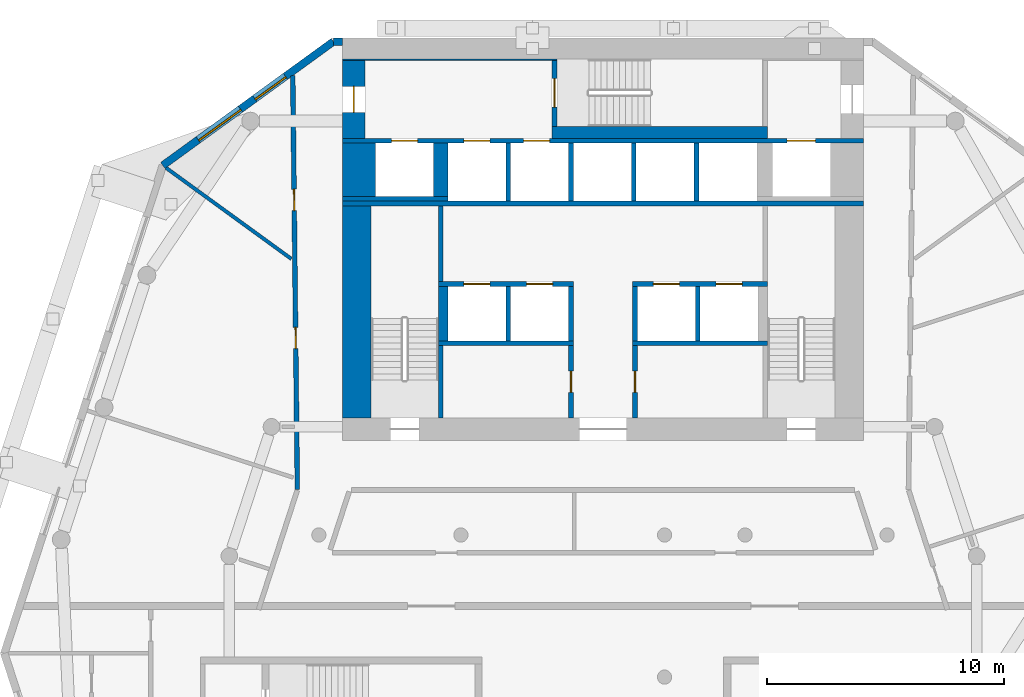
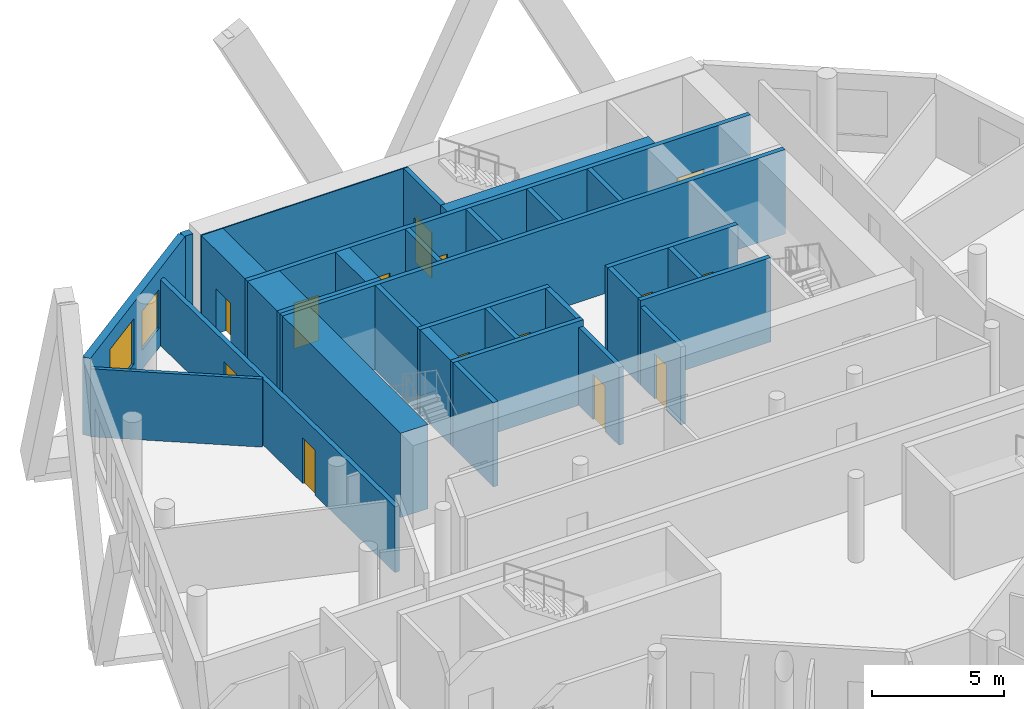
# One storey, part 6 of 9: 31 walls, 14 doors, 2 windows, 16 openings.
"""IFC4 building model written with IfcOpenShell, lengths in metres."""

import ifcopenshell
import ifcopenshell.guid

model = None  # the IFC model being written
_history = None  # IfcOwnerHistory: only IFC2X3 demands one
_inside = {}  # id of a spatial element -> (the spatial element, [elements in it])
_under = {}  # id of a project, library or spatial element -> (it, [spatial elements below it])
_declared = {}  # id of a project -> (the project, [libraries it declares])
_typed = {}  # id of a type object -> (the type object, [elements of that type])
_made_of = {}  # id of a material, layer set ... -> (it, [elements and type objects made of it])


def new_model(schema):
    """Start an empty IFC model of exactly this schema.

    Asked for "IFC4X3", IfcOpenShell would pick the latest addendum, in which some entities
    have other attributes; the version numbers below select the first issue.
    IFC2X3 requires an IfcOwnerHistory on every rooted entity: one is made here for all.
    """
    global model, _history
    if schema == "IFC4X3":
        model = ifcopenshell.file(schema_version=(4, 3, 0, 0))
    else:
        model = ifcopenshell.file(schema=schema)
    _inside.clear()
    _under.clear()
    _declared.clear()
    _typed.clear()
    _made_of.clear()
    _history = None
    if model.schema == "IFC2X3":
        org = make("IfcOrganization", Name="unknown")
        user = make(
            "IfcPersonAndOrganization",
            ThePerson=make("IfcPerson", FamilyName="unknown"),
            TheOrganization=org,
        )
        app = make(
            "IfcApplication",
            ApplicationDeveloper=org,
            Version="unknown",
            ApplicationFullName="unknown",
            ApplicationIdentifier="unknown",
        )
        _history = make(
            "IfcOwnerHistory",
            OwningUser=user,
            OwningApplication=app,
            ChangeAction="ADDED",
            CreationDate=0,
        )
    return model


def make(cls, **values):
    """One entity of the class cls with the attributes given. An attribute that is None is left unset."""
    return model.create_entity(
        cls, **{name: value for name, value in values.items() if value is not None}
    )


def rooted(cls, **values):
    """An entity with a GlobalId (a new one), such as an element, a storey or a relation."""
    return make(cls, GlobalId=ifcopenshell.guid.new(), OwnerHistory=_history, **values)


def si_unit(unit_type, name, prefix=None):
    """IfcSIUnit, for example si_unit("LENGTHUNIT", "METRE", prefix="MILLI")."""
    return make("IfcSIUnit", UnitType=unit_type, Prefix=prefix, Name=name)


def assignment(units):
    """IfcUnitAssignment: the units of a project."""
    return None if units is None else make("IfcUnitAssignment", Units=units)


def point(xyz):
    """IfcCartesianPoint."""
    return None if xyz is None else make("IfcCartesianPoint", Coordinates=xyz)


def direction(xyz):
    """IfcDirection."""
    return None if xyz is None else make("IfcDirection", DirectionRatios=xyz)


def frame(location, z_axis=None, x_axis=None):
    """IfcAxis2Placement3D, a coordinate frame: its origin and axes. An axis left out is left unset."""
    return make(
        "IfcAxis2Placement3D",
        Location=point(location),
        Axis=direction(z_axis),
        RefDirection=direction(x_axis),
    )


def frame_2d(location, x_axis=None):
    """IfcAxis2Placement2D, a coordinate frame in the plane: its origin and x axis."""
    return make(
        "IfcAxis2Placement2D", Location=point(location), RefDirection=direction(x_axis)
    )


def origin():
    """The frame at (0, 0, 0) with its axes left unset."""
    return frame((0.0, 0.0, 0.0))


def place(relative_to, where):
    """IfcLocalPlacement: puts the frame where relative to a parent placement (None: the world)."""
    return make(
        "IfcLocalPlacement", PlacementRelTo=relative_to, RelativePlacement=where
    )


def context(
    kind, dimensions, precision=None, world=None, true_north=None, identifier=None
):
    """IfcGeometricRepresentationContext, for example the 3D "Model" context."""
    return make(
        "IfcGeometricRepresentationContext",
        ContextIdentifier=identifier,
        ContextType=kind,
        CoordinateSpaceDimension=dimensions,
        Precision=precision,
        WorldCoordinateSystem=world,
        TrueNorth=true_north,
    )


def subcontext(parent, identifier, kind, view, scale=None):
    """IfcGeometricRepresentationSubContext, for example "Body" below "Model"."""
    return make(
        "IfcGeometricRepresentationSubContext",
        ContextIdentifier=identifier,
        ContextType=kind,
        ParentContext=parent,
        TargetScale=scale,
        TargetView=view,
    )


def project(units=None, contexts=None):
    """IfcProject with its units and contexts."""
    return rooted(
        "IfcProject",
        Name="project",
        RepresentationContexts=contexts,
        UnitsInContext=assignment(units),
    )


def spatial(cls, under=None, at=None, **own):
    """A site, building, storey or space (cls), placed at a placement, below another one or the project."""
    s = rooted(cls, ObjectPlacement=at, **own)
    if under is not None:
        _under.setdefault(under.id(), (under, []))[1].append(s)
    return s


def profile(cls, at=None, kind="AREA", **sizes):
    """A parametric profile (cls). Its sizes go by their IFC names, for example OverallWidth=200.0."""
    return make(cls, ProfileType=kind, Position=at, **sizes)


def rectangle(**sizes):
    """IfcRectangleProfileDef."""
    return profile("IfcRectangleProfileDef", **sizes)


def extrude(swept, where, along, depth):
    """IfcExtrudedAreaSolid: the profile swept, set in the frame where, extruded along a direction by depth."""
    return make(
        "IfcExtrudedAreaSolid",
        SweptArea=swept,
        Position=where,
        ExtrudedDirection=direction(along),
        Depth=depth,
    )


def shape(context_of_items, identifier, shape_type, items):
    """IfcShapeRepresentation: the items that make up one representation, for example the "Body"."""
    return make(
        "IfcShapeRepresentation",
        ContextOfItems=context_of_items,
        RepresentationIdentifier=identifier,
        RepresentationType=shape_type,
        Items=items,
    )


def material(Name=None, Category=None):
    """IfcMaterial."""
    return make("IfcMaterial", Name=Name, Category=Category)


def layer(
    of_material, thickness, ventilated=None, Name=None, Category=None, Priority=None
):
    """IfcMaterialLayer: one layer of a wall or slab, of a material (None: an air gap)."""
    return make(
        "IfcMaterialLayer",
        Material=of_material,
        LayerThickness=thickness,
        IsVentilated=ventilated,
        Name=Name,
        Category=Category,
        Priority=Priority,
    )


def layer_set(layers, Name=None):
    """IfcMaterialLayerSet."""
    return make("IfcMaterialLayerSet", MaterialLayers=layers, LayerSetName=Name)


def made_of(thing, what):
    """Note that an element or type object is made of a material, layer set ...; save() writes the relation."""
    if what is not None:
        _made_of.setdefault(what.id(), (what, []))[1].append(thing)
    return thing


def type_object(cls, material=None, **own):
    """A type object (cls), such as IfcWallType, which elements share."""
    return made_of(rooted(cls, **own), material)


def element(
    cls,
    number,
    at=None,
    inside=None,
    cuts=None,
    type_object=None,
    material=None,
    context=None,
    identifier="Body",
    shape_type=None,
    held_by="IfcProductDefinitionShape",
    body=None,
    shapes=None,
    **own,
):
    """One element of the class cls, such as IfcWall. Its Tag is "e" and its number.

    at: its placement. inside: the storey or other place that contains it. cuts: it is an
    opening in that element (IfcRelVoidsElement). A single representation is given by context,
    identifier, shape_type and body (its items); several are given by shapes. held_by: the class
    of the entity that holds the representations. save() writes the other relations.
    """
    e = rooted(cls, Tag="e%d" % number, ObjectPlacement=at, **own)
    if body is not None:
        shapes = [shape(context, identifier, shape_type, body)]
    if shapes is not None:
        e.Representation = make(held_by, Representations=shapes)
    if inside is not None:
        _inside.setdefault(inside.id(), (inside, []))[1].append(e)
    if cuts is not None:
        rooted(
            "IfcRelVoidsElement", RelatingBuildingElement=cuts, RelatedOpeningElement=e
        )
    if type_object is not None:
        _typed.setdefault(type_object.id(), (type_object, []))[1].append(e)
    return made_of(e, material)


def fill(opening, filler):
    """IfcRelFillsElement: the door or window that sits in an opening."""
    return rooted(
        "IfcRelFillsElement",
        RelatingOpeningElement=opening,
        RelatedBuildingElement=filler,
    )


def aggregate(whole, parts):
    """IfcRelAggregates: a whole, such as a stair, and the parts it consists of."""
    return rooted("IfcRelAggregates", RelatingObject=whole, RelatedObjects=parts)


def save(model, path):
    """Write the relations noted so far, then the file.

    IfcRelAggregates (storeys below a building ...), IfcRelContainedInSpatialStructure (elements
    in a storey), IfcRelDefinesByType, IfcRelAssociatesMaterial and IfcRelDeclares: one each for
    every whole, place, type object, material and project.
    """
    for whole, parts in _under.values():
        aggregate(whole, parts)
    for where, things in _inside.values():
        rooted(
            "IfcRelContainedInSpatialStructure",
            RelatedElements=things,
            RelatingStructure=where,
        )
    for kind, things in _typed.values():
        rooted("IfcRelDefinesByType", RelatedObjects=things, RelatingType=kind)
    for what, things in _made_of.values():
        rooted("IfcRelAssociatesMaterial", RelatedObjects=things, RelatingMaterial=what)
    for by, libraries in _declared.values():
        rooted("IfcRelDeclares", RelatingContext=by, RelatedDefinitions=libraries)
    model.write(path)


model = new_model("IFC4")

# Units and contexts
model_context = context("Model", 3, precision=1e-05, world=origin(), true_north=direction((0.0, 1.0)))
body_context = subcontext(model_context, "Body", "Model", "MODEL_VIEW")
ifc_project = project(units=[si_unit("LENGTHUNIT", "METRE"), si_unit("AREAUNIT", "SQUARE_METRE"), si_unit("VOLUMEUNIT", "CUBIC_METRE"), si_unit("PLANEANGLEUNIT", "RADIAN"), si_unit("MASSUNIT", "GRAM", prefix="KILO")], contexts=[model_context])

# Site, building, storey
site_placement = place(None, origin())
site = spatial("IfcSite", under=ifc_project, at=site_placement, CompositionType="ELEMENT")
building_placement = place(site_placement, origin())
building = spatial("IfcBuilding", under=site, at=building_placement, Name="White Candle Pilgrim Tower", CompositionType="ELEMENT")
storey_placement = place(building_placement, frame((0.0, 0.0, 148.60009765625)))
storey = spatial("IfcBuildingStorey", under=building, at=storey_placement, Name="L33", CompositionType="ELEMENT", Elevation=148.60009765625)

# Walls
ifc_material_1 = material(Name="Concrete C60/75", Category="concrete")
ifc_layer_1 = layer(ifc_material_1, 1.39990234375)
ifc_layer_set_1 = layer_set([ifc_layer_1], Name="Core wall 1400 mm Concrete C60/75")
wall_type_1 = type_object("IfcWallType", Name="Core wall 1400 mm Concrete C60/75", PredefinedType="SHEAR", material=ifc_layer_set_1)
wall_1_placement = place(storey_placement, frame((59.699951171875, 81.300048828125, 0.0), z_axis=(0.0, 0.0, 1.0), x_axis=(0.0, 1.0, 0.0)))
element("IfcWall", 1, at=wall_1_placement, inside=storey, type_object=wall_type_1, Name="WL-L33-C37", PredefinedType="SHEAR", context=body_context, shape_type="SweptSolid", body=[
    extrude(rectangle(XDim=2.25, YDim=1.39990234375, at=frame_2d((1.125, 0.0))), origin(), (0.0, 0.0, 1.0), 3.89990234375),
])
ifc_layer_2 = layer(ifc_material_1, 0.199951171875)
ifc_layer_set_2 = layer_set([ifc_layer_2], Name="Core wall 200 mm Concrete C60/75")
wall_type_2 = type_object("IfcWallType", Name="Core wall 200 mm Concrete C60/75", PredefinedType="SHEAR", material=ifc_layer_set_2)
wall_2_placement = place(storey_placement, frame((59.0, 81.199951171875, 0.0), z_axis=(0.0, 0.0, 1.0), x_axis=(1.0, 0.0, 0.0)))
element("IfcWall", 2, at=wall_2_placement, inside=storey, type_object=wall_type_2, Name="WL-L33-C31", PredefinedType="SHEAR", context=body_context, shape_type="SweptSolid", body=[
    extrude(rectangle(XDim=4.449951171875, YDim=0.199951171875, at=frame_2d((2.22509765625, 0.0))), origin(), (0.0, 0.0, 1.0), 3.89990234375),
])

# Wall, openings, doors
wall_3_placement = place(storey_placement, frame((59.0, 83.64990234375, 0.0), z_axis=(0.0, 0.0, 1.0), x_axis=(1.0, 0.0, 0.0)))
wall_3 = element("IfcWall", 3, at=wall_3_placement, inside=storey, type_object=wall_type_2, Name="WL-L33-C41", PredefinedType="SHEAR", context=body_context, shape_type="SweptSolid", body=[
    extrude(rectangle(XDim=22.0, YDim=0.199951171875, at=frame_2d((11.0, 0.0))), origin(), (0.0, 0.0, 1.0), 3.89990234375),
])
opening_1_placement = place(wall_3_placement, frame((5.125, 0.0, 0.0)))
opening_1 = element("IfcOpeningElement", 4, at=opening_1_placement, cuts=wall_3, Name="Opening T10-017", PredefinedType="OPENING", context=body_context, shape_type="SweptSolid", body=[
    extrude(rectangle(XDim=1.10009765625, YDim=2.10009765625, at=frame_2d((0.550048828125, 1.050048828125))), frame((0.0, 0.10986328125, 0.0), z_axis=(0.0, -1.0, 0.0), x_axis=(1.0, 0.0, 0.0)), (0.0, 0.0, 1.0), 0.219970703125),
])
opening_2_placement = place(wall_3_placement, frame((7.64990234375, 0.0, 0.0)))
opening_2 = element("IfcOpeningElement", 5, at=opening_2_placement, cuts=wall_3, Name="Opening T10-018", PredefinedType="OPENING", context=body_context, shape_type="SweptSolid", body=[
    extrude(rectangle(XDim=1.10009765625, YDim=2.10009765625, at=frame_2d((0.550048828125, 1.050048828125))), frame((0.0, 0.10986328125, 0.0), z_axis=(0.0, -1.0, 0.0), x_axis=(1.0, 0.0, 0.0)), (0.0, 0.0, 1.0), 0.219970703125),
])
opening_3_placement = place(wall_3_placement, frame((18.77490234375, 0.0, 0.0)))
opening_3 = element("IfcOpeningElement", 6, at=opening_3_placement, cuts=wall_3, Name="Opening T10-019", PredefinedType="OPENING", context=body_context, shape_type="SweptSolid", body=[
    extrude(rectangle(XDim=1.199951171875, YDim=2.10009765625, at=frame_2d((0.60009765625, 1.050048828125))), frame((0.0, 0.10986328125, 0.0), z_axis=(0.0, -1.0, 0.0), x_axis=(1.0, 0.0, 0.0)), (0.0, 0.0, 1.0), 0.219970703125),
])
opening_4_placement = place(wall_3_placement, frame((2.074951171875, 0.0, 0.0)))
opening_4 = element("IfcOpeningElement", 7, at=opening_4_placement, cuts=wall_3, Name="Opening T10-020", PredefinedType="OPENING", context=body_context, shape_type="SweptSolid", body=[
    extrude(rectangle(XDim=1.10009765625, YDim=2.10009765625, at=frame_2d((0.550048828125, 1.050048828125))), frame((0.0, 0.10986328125, 0.0), z_axis=(0.0, -1.0, 0.0), x_axis=(1.0, 0.0, 0.0)), (0.0, 0.0, 1.0), 0.219970703125),
])
ifc_material_2 = material(Name="Stainless steel", Category="steel")
door_type_1 = type_object("IfcDoorType", Name="Lift landing door 1100 x 2100 EI 60", OperationType="DOUBLE_DOOR_SLIDING", PredefinedType="DOOR", material=ifc_material_2)
door_1_placement = place(opening_1_placement, origin())
door_1 = element("IfcDoor", 8, at=door_1_placement, inside=storey, type_object=door_type_1, Name="Door T10-017", OperationType="DOUBLE_DOOR_SLIDING", OverallHeight=2.10009765625, OverallWidth=1.10009765625, PredefinedType="DOOR", context=body_context, shape_type="SweptSolid", body=[
    extrude(rectangle(XDim=1.10009765625, YDim=2.10009765625, at=frame_2d((0.550048828125, 1.050048828125))), frame((0.0, 0.02490234375, 0.0), z_axis=(0.0, -1.0, 0.0), x_axis=(1.0, 0.0, 0.0)), (0.0, 0.0, 1.0), 0.050048828125),
])
fill(opening_1, door_1)
door_2_placement = place(opening_2_placement, origin())
door_2 = element("IfcDoor", 9, at=door_2_placement, inside=storey, type_object=door_type_1, Name="Door T10-018", OperationType="DOUBLE_DOOR_SLIDING", OverallHeight=2.10009765625, OverallWidth=1.10009765625, PredefinedType="DOOR", context=body_context, shape_type="SweptSolid", body=[
    extrude(rectangle(XDim=1.10009765625, YDim=2.10009765625, at=frame_2d((0.550048828125, 1.050048828125))), frame((0.0, 0.02490234375, 0.0), z_axis=(0.0, -1.0, 0.0), x_axis=(1.0, 0.0, 0.0)), (0.0, 0.0, 1.0), 0.050048828125),
])
fill(opening_2, door_2)
door_3_placement = place(opening_4_placement, origin())
door_3 = element("IfcDoor", 10, at=door_3_placement, inside=storey, type_object=door_type_1, Name="Door T10-020", OperationType="DOUBLE_DOOR_SLIDING", OverallHeight=2.10009765625, OverallWidth=1.10009765625, PredefinedType="DOOR", context=body_context, shape_type="SweptSolid", body=[
    extrude(rectangle(XDim=1.10009765625, YDim=2.10009765625, at=frame_2d((0.550048828125, 1.050048828125))), frame((0.0, 0.02490234375, 0.0), z_axis=(0.0, -1.0, 0.0), x_axis=(1.0, 0.0, 0.0)), (0.0, 0.0, 1.0), 0.050048828125),
])
fill(opening_4, door_3)
door_type_2 = type_object("IfcDoorType", Name="Lift landing door 1200 x 2100 E 60", OperationType="DOUBLE_DOOR_SLIDING", PredefinedType="DOOR", material=ifc_material_2)
door_4_placement = place(opening_3_placement, origin())
door_4 = element("IfcDoor", 11, at=door_4_placement, inside=storey, type_object=door_type_2, Name="Door T10-019", OperationType="DOUBLE_DOOR_SLIDING", OverallHeight=2.10009765625, OverallWidth=1.199951171875, PredefinedType="DOOR", context=body_context, shape_type="SweptSolid", body=[
    extrude(rectangle(XDim=1.199951171875, YDim=2.10009765625, at=frame_2d((0.60009765625, 1.050048828125))), frame((0.0, 0.02490234375, 0.0), z_axis=(0.0, -1.0, 0.0), x_axis=(1.0, 0.0, 0.0)), (0.0, 0.0, 1.0), 0.050048828125),
])
fill(opening_3, door_4)

# Wall, opening, door
ifc_layer_3 = layer(ifc_material_1, 0.949951171875)
ifc_layer_set_3 = layer_set([ifc_layer_3], Name="Core wall 950 mm Concrete C60/75")
wall_type_3 = type_object("IfcWallType", Name="Core wall 950 mm Concrete C60/75", PredefinedType="SHEAR", material=ifc_layer_set_3)
wall_4_placement = place(storey_placement, frame((59.47509765625, 83.75, 0.0), z_axis=(0.0, 0.0, 1.0), x_axis=(0.0, 1.0, 0.0)))
wall_4 = element("IfcWall", 12, at=wall_4_placement, inside=storey, type_object=wall_type_3, Name="WL-L33-C42", PredefinedType="SHEAR", context=body_context, shape_type="SweptSolid", body=[
    extrude(rectangle(XDim=3.300048828125, YDim=0.949951171875, at=frame_2d((1.64990234375, 0.0))), origin(), (0.0, 0.0, 1.0), 3.89990234375),
])
opening_5_placement = place(wall_4_placement, frame((1.10009765625, 0.0, 0.0)))
opening_5 = element("IfcOpeningElement", 13, at=opening_5_placement, cuts=wall_4, Name="Opening T10-007", PredefinedType="OPENING", context=body_context, shape_type="SweptSolid", body=[
    extrude(rectangle(XDim=1.10009765625, YDim=2.10009765625, at=frame_2d((0.550048828125, 1.050048828125))), frame((0.0, 0.48486328125, 0.0), z_axis=(0.0, -1.0, 0.0), x_axis=(1.0, 0.0, 0.0)), (0.0, 0.0, 1.0), 0.969970703125),
])
ifc_material_3 = material(Name="Steel door leaf", Category="steel")
door_type_3 = type_object("IfcDoorType", Name="Fire door 1100 x 2100 EI 60", OperationType="NOTDEFINED", PredefinedType="DOOR", material=ifc_material_3)
door_5_placement = place(opening_5_placement, origin())
door_5 = element("IfcDoor", 14, at=door_5_placement, inside=storey, type_object=door_type_3, Name="Door T10-007", OperationType="SINGLE_SWING_LEFT", OverallHeight=2.10009765625, OverallWidth=1.10009765625, PredefinedType="DOOR", context=body_context, shape_type="SweptSolid", body=[
    extrude(rectangle(XDim=1.10009765625, YDim=2.10009765625, at=frame_2d((0.550048828125, 1.050048828125))), frame((0.0, 0.02490234375, 0.0), z_axis=(0.0, -1.0, 0.0), x_axis=(1.0, 0.0, 0.0)), (0.0, 0.0, 1.0), 0.050048828125),
])
fill(opening_5, door_5)

# Wall, openings, doors
ifc_material_4 = material(Name="Gypsum board on steel studs", Category="steel")
ifc_layer_4 = layer(ifc_material_4, 0.199951171875)
ifc_layer_set_4 = layer_set([ifc_layer_4], Name="Corridor wall 200 mm EI 45")
wall_type_4 = type_object("IfcWallType", Name="Corridor wall 200 mm EI 45", PredefinedType="PARTITIONING", material=ifc_layer_set_4)
wall_5_placement = place(storey_placement, frame((57.09326171875, 68.91650390625, 0.0), z_axis=(0.0, 0.0, 1.0), x_axis=(-0.011061239263, 0.999938822622, 0.0)))
wall_5 = element("IfcWall", 15, at=wall_5_placement, inside=storey, type_object=wall_type_4, Name="WL-L33-P003", PredefinedType="PARTITIONING", context=body_context, shape_type="SweptSolid", body=[
    extrude(rectangle(XDim=17.480712890625, YDim=0.199951171875, at=frame_2d((8.740234375, 0.0))), origin(), (0.0, 0.0, 1.0), 3.0498046875),
])
opening_6_placement = place(wall_5_placement, frame((5.951416015625, 0.0, 0.0)))
opening_6 = element("IfcOpeningElement", 16, at=opening_6_placement, cuts=wall_5, Name="Opening T10-118", PredefinedType="OPENING", context=body_context, shape_type="SweptSolid", body=[
    extrude(rectangle(XDim=0.89990234375, YDim=2.10009765625, at=frame_2d((0.449951171875, 1.050048828125))), frame((0.0, 0.10986328125, 0.0), z_axis=(0.0, -1.0, 0.0), x_axis=(1.0, 0.0, 0.0)), (0.0, 0.0, 1.0), 0.219970703125),
])
opening_7_placement = place(wall_5_placement, frame((11.78662109375, 0.0, 0.0)))
opening_7 = element("IfcOpeningElement", 17, at=opening_7_placement, cuts=wall_5, Name="Opening T10-119", PredefinedType="OPENING", context=body_context, shape_type="SweptSolid", body=[
    extrude(rectangle(XDim=0.89990234375, YDim=2.10009765625, at=frame_2d((0.449951171875, 1.050048828125))), frame((0.0, 0.10986328125, 0.0), z_axis=(0.0, -1.0, 0.0), x_axis=(1.0, 0.0, 0.0)), (0.0, 0.0, 1.0), 0.219970703125),
])
door_type_4 = type_object("IfcDoorType", Name="Fire door 900 x 2100 EI 30", OperationType="NOTDEFINED", PredefinedType="DOOR", material=ifc_material_3)
door_6_placement = place(opening_6_placement, origin())
door_6 = element("IfcDoor", 18, at=door_6_placement, inside=storey, type_object=door_type_4, Name="Door T10-118", OperationType="SINGLE_SWING_RIGHT", OverallHeight=2.10009765625, OverallWidth=0.89990234375, PredefinedType="DOOR", context=body_context, shape_type="SweptSolid", body=[
    extrude(rectangle(XDim=0.89990234375, YDim=2.10009765625, at=frame_2d((0.449951171875, 1.050048828125))), frame((0.0, 0.02490234375, 0.0), z_axis=(0.0, -1.0, 0.0), x_axis=(1.0, 0.0, 0.0)), (0.0, 0.0, 1.0), 0.050048828125),
])
fill(opening_6, door_6)
door_7_placement = place(opening_7_placement, origin())
door_7 = element("IfcDoor", 19, at=door_7_placement, inside=storey, type_object=door_type_4, Name="Door T10-119", OperationType="SINGLE_SWING_LEFT", OverallHeight=2.10009765625, OverallWidth=0.89990234375, PredefinedType="DOOR", context=body_context, shape_type="SweptSolid", body=[
    extrude(rectangle(XDim=0.89990234375, YDim=2.10009765625, at=frame_2d((0.449951171875, 1.050048828125))), frame((0.0, 0.02490234375, 0.0), z_axis=(0.0, -1.0, 0.0), x_axis=(1.0, 0.0, 0.0)), (0.0, 0.0, 1.0), 0.050048828125),
])
fill(opening_7, door_7)

# Wall
ifc_material_5 = material(Name="Precast concrete C40/50", Category="concrete")
ifc_layer_5 = layer(ifc_material_5, 0.320068359375)
ifc_layer_set_5 = layer_set([ifc_layer_5], Name="Facade wall EW1 precast concrete C40/50 pier wall with timber-lined reveals")
wall_type_5 = type_object("IfcWallType", Name="Facade wall EW1 precast concrete C40/50 pier wall with timber-lined reveals", PredefinedType="SOLIDWALL", material=ifc_layer_set_5)
wall_6_placement = place(storey_placement, frame((59.0, 87.840087890625, 0.0), z_axis=(0.0, 0.0, 1.0), x_axis=(-1.0, 0.0, 0.0)))
element("IfcWall", 20, at=wall_6_placement, inside=storey, type_object=wall_type_5, Name="Facade wall L33 N", PredefinedType="SOLIDWALL", context=body_context, shape_type="SweptSolid", body=[
    extrude(rectangle(XDim=0.385009765625, YDim=0.320068359375, at=frame_2d((0.1923828125, 0.0))), origin(), (0.0, 0.0, 1.0), 3.599853515625),
])

# Wall, openings, windows
wall_7_placement = place(storey_placement, frame((58.614990234375, 87.840087890625, 0.0), z_axis=(0.0, 0.0, 1.0), x_axis=(-0.809011042426, -0.58779344436, 0.0)))
wall_7 = element("IfcWall", 21, at=wall_7_placement, inside=storey, type_object=wall_type_5, Name="Facade wall L33 NW chamfer", PredefinedType="SOLIDWALL", context=body_context, shape_type="SweptSolid", body=[
    extrude(rectangle(XDim=8.905029296875, YDim=0.320068359375, at=frame_2d((4.45263671875, 0.0))), origin(), (0.0, 0.0, 1.0), 3.599853515625),
])
opening_8_placement = place(wall_7_placement, frame((2.50244140625, 0.0, 0.89990234375)))
opening_8 = element("IfcOpeningElement", 22, at=opening_8_placement, cuts=wall_7, Name="Opening W2", PredefinedType="OPENING", context=body_context, shape_type="SweptSolid", body=[
    extrude(rectangle(XDim=1.60009765625, YDim=1.800048828125, at=frame_2d((0.800048828125, 0.89990234375))), frame((0.0, 0.169921875, 0.0), z_axis=(0.0, -1.0, 0.0), x_axis=(1.0, 0.0, 0.0)), (0.0, 0.0, 1.0), 0.340087890625),
])
opening_9_placement = place(wall_7_placement, frame((4.8525390625, 0.0, 0.75)))
opening_9 = element("IfcOpeningElement", 23, at=opening_9_placement, cuts=wall_7, Name="Opening W4", PredefinedType="OPENING", context=body_context, shape_type="SweptSolid", body=[
    extrude(rectangle(XDim=2.199951171875, YDim=2.10009765625, at=frame_2d((1.10009765625, 1.050048828125))), frame((0.0, 0.169921875, 0.0), z_axis=(0.0, -1.0, 0.0), x_axis=(1.0, 0.0, 0.0)), (0.0, 0.0, 1.0), 0.340087890625),
])
ifc_material_6 = material(Name="Timber frame with triple glazing", Category="wood")
window_type_1 = type_object("IfcWindowType", Name="Window W2 1600x1800 timber frame triple glazing", PartitioningType="SINGLE_PANEL", PredefinedType="WINDOW", material=ifc_material_6)
window_1_placement = place(opening_8_placement, origin())
window_1 = element("IfcWindow", 24, at=window_1_placement, inside=storey, type_object=window_type_1, Name="Window W2 L33 NW chamfer 1", OverallHeight=1.800048828125, OverallWidth=1.60009765625, PartitioningType="SINGLE_PANEL", PredefinedType="WINDOW", context=body_context, shape_type="SweptSolid", body=[
    extrude(rectangle(XDim=1.60009765625, YDim=1.800048828125, at=frame_2d((0.800048828125, 0.89990234375))), frame((0.0, 0.070068359375, 0.0), z_axis=(0.0, -1.0, 0.0), x_axis=(1.0, 0.0, 0.0)), (0.0, 0.0, 1.0), 0.06005859375),
])
fill(opening_8, window_1)
window_type_2 = type_object("IfcWindowType", Name="Window W4 2200x2100 timber frame triple glazing", PartitioningType="SINGLE_PANEL", PredefinedType="WINDOW", material=ifc_material_6)
window_2_placement = place(opening_9_placement, origin())
window_2 = element("IfcWindow", 25, at=window_2_placement, inside=storey, type_object=window_type_2, Name="Window W4 L33 NW chamfer 2", OverallHeight=2.10009765625, OverallWidth=2.199951171875, PartitioningType="SINGLE_PANEL", PredefinedType="WINDOW", context=body_context, shape_type="SweptSolid", body=[
    extrude(rectangle(XDim=2.199951171875, YDim=2.10009765625, at=frame_2d((1.10009765625, 1.050048828125))), frame((0.0, 0.070068359375, 0.0), z_axis=(0.0, -1.0, 0.0), x_axis=(1.0, 0.0, 0.0)), (0.0, 0.0, 1.0), 0.06005859375),
])
fill(opening_9, window_2)

# Wall, opening, door
ifc_layer_6 = layer(ifc_material_4, 0.199951171875)
ifc_layer_set_6 = layer_set([ifc_layer_6], Name="Lobby wall 200 mm EI 60")
wall_type_6 = type_object("IfcWallType", Name="Lobby wall 200 mm EI 60", PredefinedType="PARTITIONING", material=ifc_layer_set_6)
wall_8_placement = place(storey_placement, frame((68.64990234375, 71.949951171875, 0.0), z_axis=(0.0, 0.0, 1.0), x_axis=(0.0, 1.0, 0.0)))
wall_8 = element("IfcWall", 26, at=wall_8_placement, inside=storey, type_object=wall_type_6, Name="WL-L33-C14", PredefinedType="PARTITIONING", context=body_context, shape_type="SweptSolid", body=[
    extrude(rectangle(XDim=3.050048828125, YDim=0.199951171875, at=frame_2d((1.52490234375, 0.0))), origin(), (0.0, 0.0, 1.0), 3.599853515625),
])
opening_10_placement = place(wall_8_placement, frame((1.074951171875, 0.0, 0.0)))
opening_10 = element("IfcOpeningElement", 27, at=opening_10_placement, cuts=wall_8, Name="Opening T10-005", PredefinedType="OPENING", context=body_context, shape_type="SweptSolid", body=[
    extrude(rectangle(XDim=0.89990234375, YDim=2.10009765625, at=frame_2d((0.449951171875, 1.050048828125))), frame((0.0, 0.10986328125, 0.0), z_axis=(0.0, -1.0, 0.0), x_axis=(1.0, 0.0, 0.0)), (0.0, 0.0, 1.0), 0.219970703125),
])
door_8_placement = place(opening_10_placement, origin())
door_8 = element("IfcDoor", 28, at=door_8_placement, inside=storey, type_object=door_type_4, Name="Door T10-005", OperationType="SINGLE_SWING_LEFT", OverallHeight=2.10009765625, OverallWidth=0.89990234375, PredefinedType="DOOR", context=body_context, shape_type="SweptSolid", body=[
    extrude(rectangle(XDim=0.89990234375, YDim=2.10009765625, at=frame_2d((0.449951171875, 1.050048828125))), frame((0.0, 0.02490234375, 0.0), z_axis=(0.0, -1.0, 0.0), x_axis=(1.0, 0.0, 0.0)), (0.0, 0.0, 1.0), 0.050048828125),
])
fill(opening_10, door_8)

wall_9_placement = place(storey_placement, frame((71.35009765625, 71.949951171875, 0.0), z_axis=(0.0, 0.0, 1.0), x_axis=(0.0, 1.0, 0.0)))
wall_9 = element("IfcWall", 29, at=wall_9_placement, inside=storey, type_object=wall_type_6, Name="WL-L33-C15", PredefinedType="PARTITIONING", context=body_context, shape_type="SweptSolid", body=[
    extrude(rectangle(XDim=3.050048828125, YDim=0.199951171875, at=frame_2d((1.52490234375, 0.0))), origin(), (0.0, 0.0, 1.0), 3.599853515625),
])
opening_11_placement = place(wall_9_placement, frame((1.074951171875, 0.0, 0.0)))
opening_11 = element("IfcOpeningElement", 30, at=opening_11_placement, cuts=wall_9, Name="Opening T10-006", PredefinedType="OPENING", context=body_context, shape_type="SweptSolid", body=[
    extrude(rectangle(XDim=0.89990234375, YDim=2.10009765625, at=frame_2d((0.449951171875, 1.050048828125))), frame((0.0, 0.10986328125, 0.0), z_axis=(0.0, -1.0, 0.0), x_axis=(1.0, 0.0, 0.0)), (0.0, 0.0, 1.0), 0.219970703125),
])
door_9_placement = place(opening_11_placement, origin())
door_9 = element("IfcDoor", 31, at=door_9_placement, inside=storey, type_object=door_type_4, Name="Door T10-006", OperationType="SINGLE_SWING_RIGHT", OverallHeight=2.10009765625, OverallWidth=0.89990234375, PredefinedType="DOOR", context=body_context, shape_type="SweptSolid", body=[
    extrude(rectangle(XDim=0.89990234375, YDim=2.10009765625, at=frame_2d((0.449951171875, 1.050048828125))), frame((0.0, 0.02490234375, 0.0), z_axis=(0.0, -1.0, 0.0), x_axis=(1.0, 0.0, 0.0)), (0.0, 0.0, 1.0), 0.050048828125),
])
fill(opening_11, door_9)

# Walls
ifc_layer_7 = layer(ifc_material_4, 0.14990234375)
ifc_layer_set_7 = layer_set([ifc_layer_7], Name="Partition 150 mm EI 60")
wall_type_7 = type_object("IfcWallType", Name="Partition 150 mm EI 60", PredefinedType="PARTITIONING", material=ifc_layer_set_7)
wall_10_placement = place(storey_placement, frame((51.546875, 82.5068359375, 0.0), z_axis=(0.0, 0.0, 1.0), x_axis=(0.809023171625, -0.587776749944, 0.0)))
element("IfcWall", 32, at=wall_10_placement, inside=storey, type_object=wall_type_7, Name="WL-L33-P017", PredefinedType="PARTITIONING", context=body_context, shape_type="SweptSolid", body=[
    extrude(rectangle(XDim=6.543701171875, YDim=0.14990234375, at=frame_2d((3.27197265625, 0.0))), origin(), (0.0, 0.0, 1.0), 3.14990234375),
])
ifc_layer_8 = layer(ifc_material_1, 0.199951171875)
ifc_layer_set_8 = layer_set([ifc_layer_8], Name="Shaft wall 200 mm Concrete C60/75")
wall_type_8 = type_object("IfcWallType", Name="Shaft wall 200 mm Concrete C60/75", PredefinedType="SHEAR", material=ifc_layer_set_8)
for number, where, z_axis, x_axis, name in (
    (33, (66.0, 75.199951171875, 0.0), (0.0, 0.0, 1.0), (0.0, 1.0, 0.0), "WL-L33-C21"),
    (34, (68.64990234375, 75.199951171875, 0.0), (0.0, 0.0, 1.0), (0.0, 1.0, 0.0), "WL-L33-C22"),
    (35, (71.35009765625, 75.199951171875, 0.0), (0.0, 0.0, 1.0), (0.0, 1.0, 0.0), "WL-L33-C23"),
    (36, (74.0, 75.199951171875, 0.0), (0.0, 0.0, 1.0), (0.0, 1.0, 0.0), "WL-L33-C24"),
):
    element("IfcWall", number, at=place(storey_placement, frame(where, z_axis=z_axis, x_axis=x_axis)), inside=storey, type_object=wall_type_8, Name=name, PredefinedType="SHEAR", context=body_context, shape_type="SweptSolid", body=[
        extrude(rectangle(XDim=2.300048828125, YDim=0.199951171875, at=frame_2d((1.14990234375, 0.0))), origin(), (0.0, 0.0, 1.0), 3.89990234375),
    ])
for number, where, z_axis, x_axis, name in (
    (37, (66.0, 81.10009765625, 0.0), (0.0, 0.0, 1.0), (0.0, 1.0, 0.0), "WL-L33-C32"),
    (38, (68.64990234375, 81.10009765625, 0.0), (0.0, 0.0, 1.0), (0.0, 1.0, 0.0), "WL-L33-C33"),
    (39, (71.300048828125, 81.10009765625, 0.0), (0.0, 0.0, 1.0), (0.0, 1.0, 0.0), "WL-L33-C34"),
    (40, (73.949951171875, 81.10009765625, 0.0), (0.0, 0.0, 1.0), (0.0, 1.0, 0.0), "WL-L33-C35"),
):
    element("IfcWall", number, at=place(storey_placement, frame(where, z_axis=z_axis, x_axis=x_axis)), inside=storey, type_object=wall_type_8, Name=name, PredefinedType="SHEAR", context=body_context, shape_type="SweptSolid", body=[
        extrude(rectangle(XDim=2.449951171875, YDim=0.199951171875, at=frame_2d((1.22509765625, 0.0))), origin(), (0.0, 0.0, 1.0), 3.89990234375),
    ])
ifc_layer_9 = layer(ifc_material_1, 0.60009765625)
ifc_layer_set_9 = layer_set([ifc_layer_9], Name="Shaft wall 600 mm Concrete C60/75")
wall_type_9 = type_object("IfcWallType", Name="Shaft wall 600 mm Concrete C60/75", PredefinedType="SHEAR", material=ifc_layer_set_9)
wall_11_placement = place(storey_placement, frame((63.14990234375, 81.300048828125, 0.0), z_axis=(0.0, 0.0, 1.0), x_axis=(0.0, 1.0, 0.0)))
element("IfcWall", 41, at=wall_11_placement, inside=storey, type_object=wall_type_9, Name="WL-L33-C38", PredefinedType="SHEAR", context=body_context, shape_type="SweptSolid", body=[
    extrude(rectangle(XDim=2.25, YDim=0.60009765625, at=frame_2d((1.125, 0.0))), origin(), (0.0, 0.0, 1.0), 3.89990234375),
])
ifc_layer_10 = layer(ifc_material_1, 1.199951171875)
ifc_layer_set_10 = layer_set([ifc_layer_10], Name="Stair shaft wall 1200 mm Concrete C60/75")
wall_type_10 = type_object("IfcWallType", Name="Stair shaft wall 1200 mm Concrete C60/75", PredefinedType="SHEAR", material=ifc_layer_set_10)
wall_12_placement = place(storey_placement, frame((59.60009765625, 71.949951171875, 0.0), z_axis=(0.0, 0.0, 1.0), x_axis=(0.0, 1.0, 0.0)))
element("IfcWall", 42, at=wall_12_placement, inside=storey, type_object=wall_type_10, Name="WL-L33-C12", PredefinedType="SHEAR", context=body_context, shape_type="SweptSolid", body=[
    extrude(rectangle(XDim=8.949951171875, YDim=1.199951171875, at=frame_2d((4.47509765625, 0.0))), origin(), (0.0, 0.0, 1.0), 3.89990234375),
])
ifc_layer_11 = layer(ifc_material_1, 0.199951171875)
ifc_layer_set_11 = layer_set([ifc_layer_11], Name="Stair shaft wall 200 mm Concrete C60/75")
wall_type_11 = type_object("IfcWallType", Name="Stair shaft wall 200 mm Concrete C60/75", PredefinedType="SHEAR", material=ifc_layer_set_11)
wall_13_placement = place(storey_placement, frame((63.14990234375, 71.949951171875, 0.0), z_axis=(0.0, 0.0, 1.0), x_axis=(0.0, 1.0, 0.0)))
element("IfcWall", 43, at=wall_13_placement, inside=storey, type_object=wall_type_11, Name="WL-L33-C13", PredefinedType="SHEAR", context=body_context, shape_type="SweptSolid", body=[
    extrude(rectangle(XDim=3.050048828125, YDim=0.199951171875, at=frame_2d((1.52490234375, 0.0))), origin(), (0.0, 0.0, 1.0), 3.89990234375),
])
for number, where, z_axis, x_axis, name in (
    (44, (63.050048828125, 75.10009765625, 0.0), (0.0, 0.0, 1.0), (1.0, 0.0, 0.0), "WL-L33-C18"),
    (45, (71.25, 75.10009765625, 0.0), (0.0, 0.0, 1.0), (1.0, 0.0, 0.0), "WL-L33-C19"),
):
    element("IfcWall", number, at=place(storey_placement, frame(where, z_axis=z_axis, x_axis=x_axis)), inside=storey, type_object=wall_type_11, Name=name, PredefinedType="SHEAR", context=body_context, shape_type="SweptSolid", body=[
        extrude(rectangle(XDim=5.699951171875, YDim=0.199951171875, at=frame_2d((2.85009765625, 0.0))), origin(), (0.0, 0.0, 1.0), 3.89990234375),
    ])

# Wall, openings, doors
wall_14_placement = place(storey_placement, frame((63.050048828125, 77.60009765625, 0.0), z_axis=(0.0, 0.0, 1.0), x_axis=(1.0, 0.0, 0.0)))
wall_14 = element("IfcWall", 46, at=wall_14_placement, inside=storey, type_object=wall_type_11, Name="WL-L33-C26", PredefinedType="SHEAR", context=body_context, shape_type="SweptSolid", body=[
    extrude(rectangle(XDim=5.699951171875, YDim=0.199951171875, at=frame_2d((2.85009765625, 0.0))), origin(), (0.0, 0.0, 1.0), 3.89990234375),
])
opening_12_placement = place(wall_14_placement, frame((1.074951171875, 0.0, 0.0)))
opening_12 = element("IfcOpeningElement", 47, at=opening_12_placement, cuts=wall_14, Name="Opening T10-013", PredefinedType="OPENING", context=body_context, shape_type="SweptSolid", body=[
    extrude(rectangle(XDim=1.10009765625, YDim=2.10009765625, at=frame_2d((0.550048828125, 1.050048828125))), frame((0.0, 0.10986328125, 0.0), z_axis=(0.0, -1.0, 0.0), x_axis=(1.0, 0.0, 0.0)), (0.0, 0.0, 1.0), 0.219970703125),
])
opening_13_placement = place(wall_14_placement, frame((3.72509765625, 0.0, 0.0)))
opening_13 = element("IfcOpeningElement", 48, at=opening_13_placement, cuts=wall_14, Name="Opening T10-014", PredefinedType="OPENING", context=body_context, shape_type="SweptSolid", body=[
    extrude(rectangle(XDim=1.10009765625, YDim=2.10009765625, at=frame_2d((0.550048828125, 1.050048828125))), frame((0.0, 0.10986328125, 0.0), z_axis=(0.0, -1.0, 0.0), x_axis=(1.0, 0.0, 0.0)), (0.0, 0.0, 1.0), 0.219970703125),
])
door_type_5 = type_object("IfcDoorType", Name="Lift landing door 1100 x 2100 E 60", OperationType="DOUBLE_DOOR_SLIDING", PredefinedType="DOOR", material=ifc_material_2)
door_10_placement = place(opening_12_placement, origin())
door_10 = element("IfcDoor", 49, at=door_10_placement, inside=storey, type_object=door_type_5, Name="Door T10-013", OperationType="DOUBLE_DOOR_SLIDING", OverallHeight=2.10009765625, OverallWidth=1.10009765625, PredefinedType="DOOR", context=body_context, shape_type="SweptSolid", body=[
    extrude(rectangle(XDim=1.10009765625, YDim=2.10009765625, at=frame_2d((0.550048828125, 1.050048828125))), frame((0.0, 0.02490234375, 0.0), z_axis=(0.0, -1.0, 0.0), x_axis=(1.0, 0.0, 0.0)), (0.0, 0.0, 1.0), 0.050048828125),
])
fill(opening_12, door_10)
door_11_placement = place(opening_13_placement, origin())
door_11 = element("IfcDoor", 50, at=door_11_placement, inside=storey, type_object=door_type_5, Name="Door T10-014", OperationType="DOUBLE_DOOR_SLIDING", OverallHeight=2.10009765625, OverallWidth=1.10009765625, PredefinedType="DOOR", context=body_context, shape_type="SweptSolid", body=[
    extrude(rectangle(XDim=1.10009765625, YDim=2.10009765625, at=frame_2d((0.550048828125, 1.050048828125))), frame((0.0, 0.02490234375, 0.0), z_axis=(0.0, -1.0, 0.0), x_axis=(1.0, 0.0, 0.0)), (0.0, 0.0, 1.0), 0.050048828125),
])
fill(opening_13, door_11)

wall_15_placement = place(storey_placement, frame((71.25, 77.60009765625, 0.0), z_axis=(0.0, 0.0, 1.0), x_axis=(1.0, 0.0, 0.0)))
wall_15 = element("IfcWall", 51, at=wall_15_placement, inside=storey, type_object=wall_type_11, Name="WL-L33-C27", PredefinedType="SHEAR", context=body_context, shape_type="SweptSolid", body=[
    extrude(rectangle(XDim=5.699951171875, YDim=0.199951171875, at=frame_2d((2.85009765625, 0.0))), origin(), (0.0, 0.0, 1.0), 3.89990234375),
])
opening_14_placement = place(wall_15_placement, frame((0.875, 0.0, 0.0)))
opening_14 = element("IfcOpeningElement", 52, at=opening_14_placement, cuts=wall_15, Name="Opening T10-015", PredefinedType="OPENING", context=body_context, shape_type="SweptSolid", body=[
    extrude(rectangle(XDim=1.10009765625, YDim=2.10009765625, at=frame_2d((0.550048828125, 1.050048828125))), frame((0.0, 0.10986328125, 0.0), z_axis=(0.0, -1.0, 0.0), x_axis=(1.0, 0.0, 0.0)), (0.0, 0.0, 1.0), 0.219970703125),
])
opening_15_placement = place(wall_15_placement, frame((3.52490234375, 0.0, 0.0)))
opening_15 = element("IfcOpeningElement", 53, at=opening_15_placement, cuts=wall_15, Name="Opening T10-016", PredefinedType="OPENING", context=body_context, shape_type="SweptSolid", body=[
    extrude(rectangle(XDim=1.10009765625, YDim=2.10009765625, at=frame_2d((0.550048828125, 1.050048828125))), frame((0.0, 0.10986328125, 0.0), z_axis=(0.0, -1.0, 0.0), x_axis=(1.0, 0.0, 0.0)), (0.0, 0.0, 1.0), 0.219970703125),
])
door_12_placement = place(opening_14_placement, origin())
door_12 = element("IfcDoor", 54, at=door_12_placement, inside=storey, type_object=door_type_5, Name="Door T10-015", OperationType="DOUBLE_DOOR_SLIDING", OverallHeight=2.10009765625, OverallWidth=1.10009765625, PredefinedType="DOOR", context=body_context, shape_type="SweptSolid", body=[
    extrude(rectangle(XDim=1.10009765625, YDim=2.10009765625, at=frame_2d((0.550048828125, 1.050048828125))), frame((0.0, 0.02490234375, 0.0), z_axis=(0.0, -1.0, 0.0), x_axis=(1.0, 0.0, 0.0)), (0.0, 0.0, 1.0), 0.050048828125),
])
fill(opening_14, door_12)
door_13_placement = place(opening_15_placement, origin())
door_13 = element("IfcDoor", 55, at=door_13_placement, inside=storey, type_object=door_type_5, Name="Door T10-016", OperationType="DOUBLE_DOOR_SLIDING", OverallHeight=2.10009765625, OverallWidth=1.10009765625, PredefinedType="DOOR", context=body_context, shape_type="SweptSolid", body=[
    extrude(rectangle(XDim=1.10009765625, YDim=2.10009765625, at=frame_2d((0.550048828125, 1.050048828125))), frame((0.0, 0.02490234375, 0.0), z_axis=(0.0, -1.0, 0.0), x_axis=(1.0, 0.0, 0.0)), (0.0, 0.0, 1.0), 0.050048828125),
])
fill(opening_15, door_13)

# Walls
wall_16_placement = place(storey_placement, frame((63.14990234375, 77.699951171875, 0.0), z_axis=(0.0, 0.0, 1.0), x_axis=(0.0, 1.0, 0.0)))
element("IfcWall", 56, at=wall_16_placement, inside=storey, type_object=wall_type_11, Name="WL-L33-C28", PredefinedType="SHEAR", context=body_context, shape_type="SweptSolid", body=[
    extrude(rectangle(XDim=3.199951171875, YDim=0.199951171875, at=frame_2d((1.60009765625, 0.0))), origin(), (0.0, 0.0, 1.0), 3.89990234375),
])
wall_17_placement = place(storey_placement, frame((59.0, 81.0, 0.0), z_axis=(0.0, 0.0, 1.0), x_axis=(1.0, 0.0, 0.0)))
element("IfcWall", 57, at=wall_17_placement, inside=storey, type_object=wall_type_11, Name="WL-L33-C30", PredefinedType="SHEAR", context=body_context, shape_type="SweptSolid", body=[
    extrude(rectangle(XDim=22.0, YDim=0.199951171875, at=frame_2d((11.0, 0.0))), origin(), (0.0, 0.0, 1.0), 3.89990234375),
])

# Wall, opening, door
wall_18_placement = place(storey_placement, frame((67.949951171875, 84.25, 0.0), z_axis=(0.0, 0.0, 1.0), x_axis=(0.0, 1.0, 0.0)))
wall_18 = element("IfcWall", 58, at=wall_18_placement, inside=storey, type_object=wall_type_11, Name="WL-L33-C45", PredefinedType="SHEAR", context=body_context, shape_type="SweptSolid", body=[
    extrude(rectangle(XDim=2.800048828125, YDim=0.199951171875, at=frame_2d((1.39990234375, 0.0))), origin(), (0.0, 0.0, 1.0), 3.89990234375),
])
opening_16_placement = place(wall_18_placement, frame((0.824951171875, 0.0, 0.0)))
opening_16 = element("IfcOpeningElement", 59, at=opening_16_placement, cuts=wall_18, Name="Opening T10-003", PredefinedType="OPENING", context=body_context, shape_type="SweptSolid", body=[
    extrude(rectangle(XDim=1.199951171875, YDim=2.10009765625, at=frame_2d((0.60009765625, 1.050048828125))), frame((0.0, 0.10986328125, 0.0), z_axis=(0.0, -1.0, 0.0), x_axis=(1.0, 0.0, 0.0)), (0.0, 0.0, 1.0), 0.219970703125),
])
door_type_6 = type_object("IfcDoorType", Name="Fire door 1200 x 2100 EI 60", OperationType="NOTDEFINED", PredefinedType="DOOR", material=ifc_material_3)
door_14_placement = place(opening_16_placement, frame((1.199951171875, 0.0, 0.0), z_axis=(0.0, 0.0, 1.0), x_axis=(-1.0, 0.0, 0.0)))
door_14 = element("IfcDoor", 60, at=door_14_placement, inside=storey, type_object=door_type_6, Name="Door T10-003", OperationType="SINGLE_SWING_RIGHT", OverallHeight=2.10009765625, OverallWidth=1.199951171875, PredefinedType="DOOR", context=body_context, shape_type="SweptSolid", body=[
    extrude(rectangle(XDim=1.199951171875, YDim=2.10009765625, at=frame_2d((0.60009765625, 1.050048828125))), frame((0.0, 0.02490234375, 0.0), z_axis=(0.0, -1.0, 0.0), x_axis=(1.0, 0.0, 0.0)), (0.0, 0.0, 1.0), 0.050048828125),
])
fill(opening_16, door_14)

# Walls
ifc_layer_12 = layer(ifc_material_1, 0.39990234375)
ifc_layer_set_12 = layer_set([ifc_layer_12], Name="Stair shaft wall 400 mm Concrete C60/75")
wall_type_12 = type_object("IfcWallType", Name="Stair shaft wall 400 mm Concrete C60/75", PredefinedType="SHEAR", material=ifc_layer_set_12)
wall_19_placement = place(storey_placement, frame((63.25, 75.199951171875, 0.0), z_axis=(0.0, 0.0, 1.0), x_axis=(0.0, 1.0, 0.0)))
element("IfcWall", 61, at=wall_19_placement, inside=storey, type_object=wall_type_12, Name="WL-L33-C20", PredefinedType="SHEAR", context=body_context, shape_type="SweptSolid", body=[
    extrude(rectangle(XDim=2.300048828125, YDim=0.39990234375, at=frame_2d((1.14990234375, 0.0))), origin(), (0.0, 0.0, 1.0), 3.89990234375),
])
ifc_layer_13 = layer(ifc_material_1, 0.050048828125)
ifc_layer_set_13 = layer_set([ifc_layer_13], Name="Stair shaft wall 50 mm Concrete C60/75")
wall_type_13 = type_object("IfcWallType", Name="Stair shaft wall 50 mm Concrete C60/75", PredefinedType="SHEAR", material=ifc_layer_set_13)
wall_20_placement = place(storey_placement, frame((59.0, 87.074951171875, 0.0), z_axis=(0.0, 0.0, 1.0), x_axis=(1.0, 0.0, 0.0)))
element("IfcWall", 62, at=wall_20_placement, inside=storey, type_object=wall_type_13, Name="WL-L33-C47", PredefinedType="SHEAR", context=body_context, shape_type="SweptSolid", body=[
    extrude(rectangle(XDim=9.050048828125, YDim=0.050048828125, at=frame_2d((4.52490234375, 0.0))), origin(), (0.0, 0.0, 1.0), 3.89990234375),
])
ifc_layer_14 = layer(ifc_material_1, 0.5)
ifc_layer_set_14 = layer_set([ifc_layer_14], Name="Stair shaft wall 500 mm Concrete C60/75")
wall_type_14 = type_object("IfcWallType", Name="Stair shaft wall 500 mm Concrete C60/75", PredefinedType="SHEAR", material=ifc_layer_set_14)
wall_21_placement = place(storey_placement, frame((67.85009765625, 84.0, 0.0), z_axis=(0.0, 0.0, 1.0), x_axis=(1.0, 0.0, 0.0)))
element("IfcWall", 63, at=wall_21_placement, inside=storey, type_object=wall_type_14, Name="WL-L33-C43", PredefinedType="SHEAR", context=body_context, shape_type="SweptSolid", body=[
    extrude(rectangle(XDim=9.099853515625, YDim=0.5, at=frame_2d((4.5498046875, 0.0))), origin(), (0.0, 0.0, 1.0), 3.89990234375),
])

save(model, "model.ifc")
